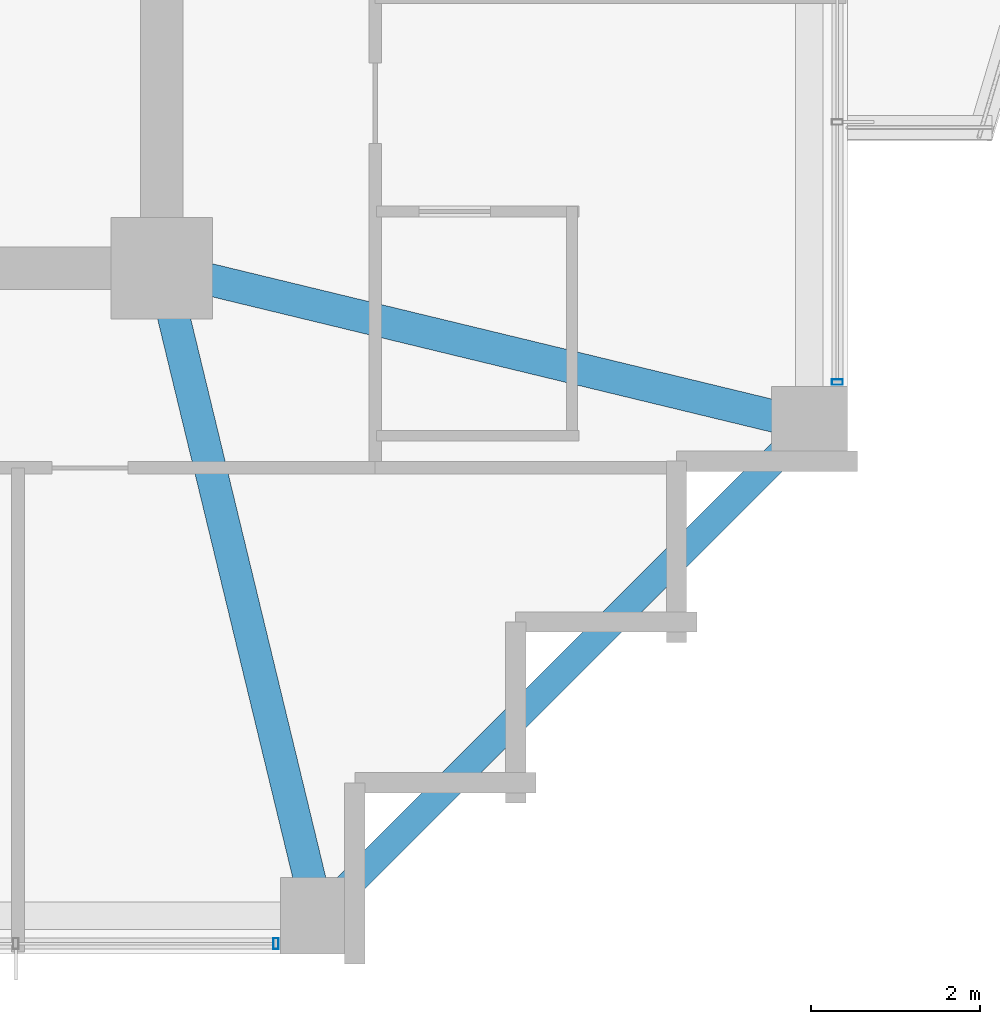
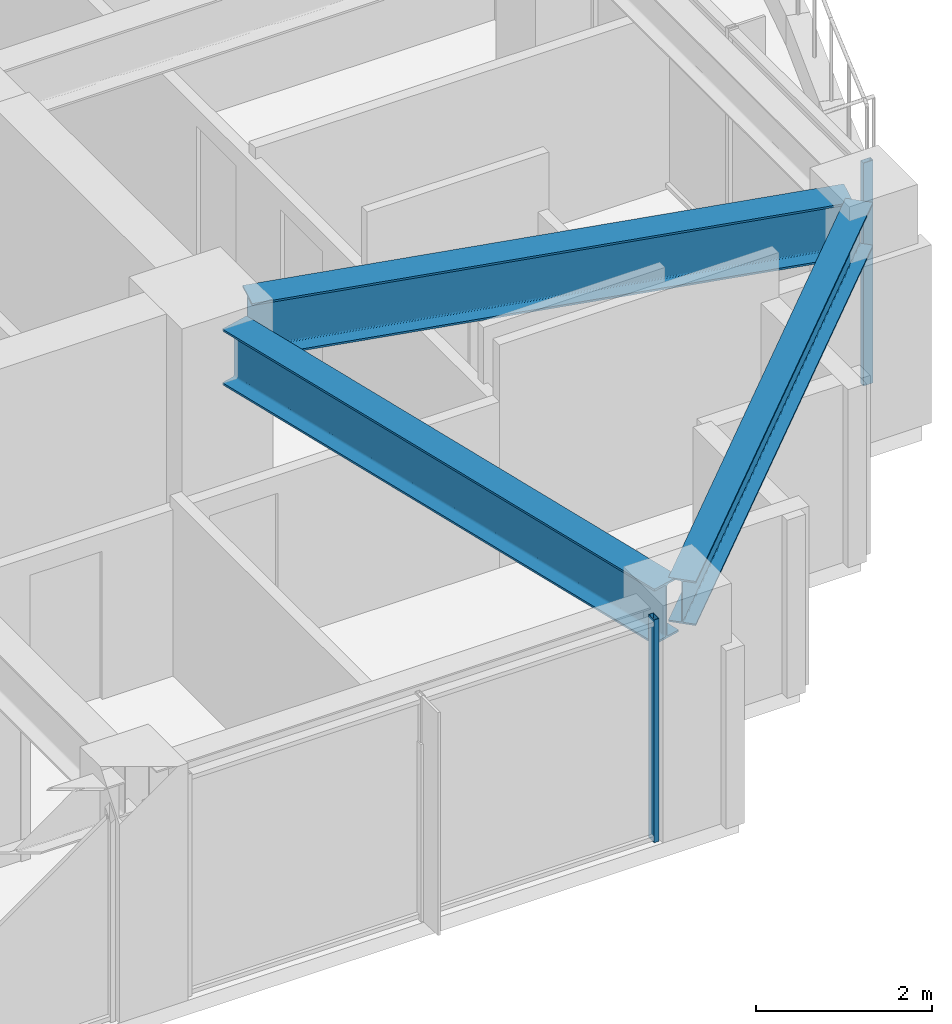
# One storey, part 12 of 33: 3 beams, 2 members, 2 elements without a shape of their own.
"""IFC4 building model written with IfcOpenShell, lengths in metres."""

from ifc_helpers import new_model, si_unit, direction, frame, origin, origin_2d, place, context, subcontext, project, spatial, hollow_rectangle, i_section, extrude, material, material_profile, profile_set, type_object, element, aggregate, save


model = new_model("IFC4")

# Units and contexts
model_context = context("Model", 3, precision=1e-05, world=origin(), true_north=direction((0.0, 1.0)))
body_context = subcontext(model_context, "Body", "Model", "MODEL_VIEW")
ifc_project = project(units=[si_unit("LENGTHUNIT", "METRE"), si_unit("AREAUNIT", "SQUARE_METRE"), si_unit("VOLUMEUNIT", "CUBIC_METRE"), si_unit("PLANEANGLEUNIT", "RADIAN"), si_unit("MASSUNIT", "GRAM", prefix="KILO")], contexts=[model_context])

# Site, building, storey
site_placement = place(None, origin())
site = spatial("IfcSite", under=ifc_project, at=site_placement, CompositionType="ELEMENT")
building_placement = place(site_placement, origin())
building = spatial("IfcBuilding", under=site, at=building_placement, Name="Kolvaren Belvedere", CompositionType="ELEMENT")
storey_placement = place(building_placement, frame((0.0, 0.0, 128.300048828125)))
storey = spatial("IfcBuildingStorey", under=building, at=storey_placement, Name="L37", CompositionType="ELEMENT", Elevation=128.300048828125)

# Beams
ifc_material_1 = material(Name="Structural steel ASTM A992 Grade 50", Category="steel")
ifc_material_profile_1 = material_profile(ifc_material_1, i_section(OverallWidth=0.381103515625, OverallDepth=0.77294921875, WebThickness=0.0166015625, FlangeThickness=0.027099609375, FilletRadius=0.02392578125, at=origin_2d()), Name="W30X173")
ifc_profile_set_1 = profile_set([ifc_material_profile_1], Name="Structural steel ASTM A992 Grade 50")
beam_type_1 = type_object("IfcBeamType", Name="BM-GIRD-W30X173", PredefinedType="BEAM", material=ifc_profile_set_1)
for number, where, z_axis, x_axis, name in (
    (1, (10.029296875, -10.4345703125, 2.71337890625), (0.235062749937, -0.971980197119, 0.0), (0.971980197119, 0.235062749937, 0.0), "L37 Corner Core-to-Perimeter Girder CC2-S4"),
    (2, (10.4345703125, -10.029296875, 2.71337890625), (0.971980197119, -0.235062749937, 0.0), (0.235062749937, 0.971980197119, 0.0), "L37 Corner Core-to-Perimeter Girder CC2-E1"),
):
    element("IfcBeam", number, at=place(storey_placement, frame(where, z_axis=z_axis, x_axis=x_axis)), inside=storey, type_object=beam_type_1, Name=name, PredefinedType="BEAM", context=body_context, shape_type="SweptSolid", body=[
        extrude(i_section(OverallWidth=0.381103515625, OverallDepth=0.77294921875, WebThickness=0.0166015625, FlangeThickness=0.027099609375, FilletRadius=0.02392578125, at=origin_2d()), origin(), (0.0, 0.0, 1.0), 7.140625),
    ])
ifc_material_2 = material(Name="Structural steel ASTM A992 Grade 50", Category="steel")
ifc_material_profile_2 = material_profile(ifc_material_2, i_section(OverallWidth=0.324951171875, OverallDepth=0.615966796875, WebThickness=0.013916015625, FlangeThickness=0.021484375, FilletRadius=0.02001953125, at=origin_2d()), Name="W24X117")
ifc_profile_set_2 = profile_set([ifc_material_profile_2], Name="Structural steel ASTM A992 Grade 50")
beam_type_2 = type_object("IfcBeamType", Name="BM-SPAN-W24X117", PredefinedType="SPANDREL", material=ifc_profile_set_2)
beam_placement = place(storey_placement, frame((11.893310546875, -17.40673828125, 2.7919921875), z_axis=(0.707106781187, 0.707106781187, 0.0), x_axis=(-0.707106781187, 0.707106781187, 0.0)))
element("IfcBeam", 3, at=beam_placement, inside=storey, type_object=beam_type_2, Name="L37 Perimeter Spandrel S4-E1", PredefinedType="SPANDREL", context=body_context, shape_type="SweptSolid", body=[
    extrude(i_section(OverallWidth=0.324951171875, OverallDepth=0.615966796875, WebThickness=0.013916015625, FlangeThickness=0.021484375, FilletRadius=0.02001953125, at=origin_2d()), origin(), (0.0, 0.0, 1.0), 7.797119140625),
])

# Curtain wall, member
ifc_material_3 = material(Name="Anodised pale-metal aluminium AA 6063-T6", Category="aluminium")
curtain_wall_type = type_object("IfcCurtainWallType", Name="CW-Z3-WAIST", PredefinedType="NOTDEFINED", material=ifc_material_3)
curtain_wall_1_placement = place(storey_placement, origin())
curtain_wall_1 = element("IfcCurtainWall", 4, at=curtain_wall_1_placement, inside=storey, type_object=curtain_wall_type, Name="L37 Unitised Curtain Wall FCW-L37-S-B1", PredefinedType="NOTDEFINED")
ifc_material_4 = material(Name="Anodised pale-metal aluminium AA 6063-T6", Category="aluminium")
ifc_material_profile_3 = material_profile(ifc_material_4, hollow_rectangle(XDim=0.06494140625, YDim=0.1298828125, WallThickness=0.00390625, at=origin_2d()), Name="ALU-MUL-130X65")
ifc_profile_set_3 = profile_set([ifc_material_profile_3], Name="Anodised pale-metal aluminium AA 6063-T6")
member_type = type_object("IfcMemberType", Name="CW-MUL-130", PredefinedType="MULLION", material=ifc_profile_set_3)
member_1_placement = place(storey_placement, frame((11.24755859375, -17.8798828125, 0.0), z_axis=(0.0, 0.0, 1.0), x_axis=(1.0, 0.0, 0.0)))
member_1 = element("IfcMember", 5, at=member_1_placement, type_object=member_type, Name="FCW-L37-S-B1 Unitised Mullion 1", PredefinedType="MULLION", context=body_context, shape_type="SweptSolid", body=[
    extrude(hollow_rectangle(XDim=0.06494140625, YDim=0.1298828125, WallThickness=0.00390625, at=origin_2d()), origin(), (0.0, 0.0, 1.0), 3.099853515625),
])
aggregate(curtain_wall_1, [member_1])

curtain_wall_2_placement = place(storey_placement, origin())
curtain_wall_2 = element("IfcCurtainWall", 6, at=curtain_wall_2_placement, inside=storey, type_object=curtain_wall_type, Name="L37 Unitised Curtain Wall FCW-L37-E2-B2", PredefinedType="NOTDEFINED")
member_2_placement = place(storey_placement, frame((17.8798828125, -11.24755859375, 0.0), z_axis=(0.0, 0.0, 1.0), x_axis=(0.0, 1.0, 0.0)))
member_2 = element("IfcMember", 7, at=member_2_placement, type_object=member_type, Name="FCW-L37-E2-B2 Unitised Mullion 3", PredefinedType="MULLION", context=body_context, shape_type="SweptSolid", body=[
    extrude(hollow_rectangle(XDim=0.06494140625, YDim=0.1298828125, WallThickness=0.00390625, at=origin_2d()), origin(), (0.0, 0.0, 1.0), 3.099853515625),
])
aggregate(curtain_wall_2, [member_2])

save(model, "model.ifc")
